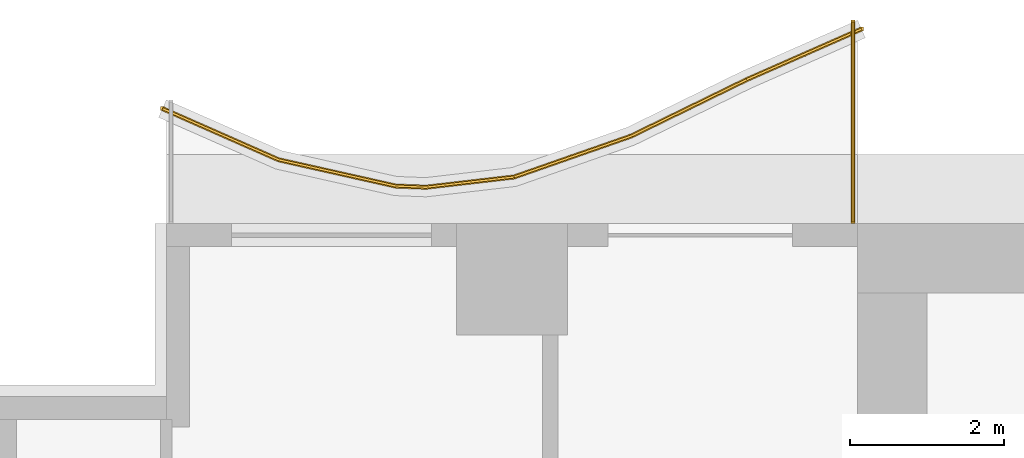
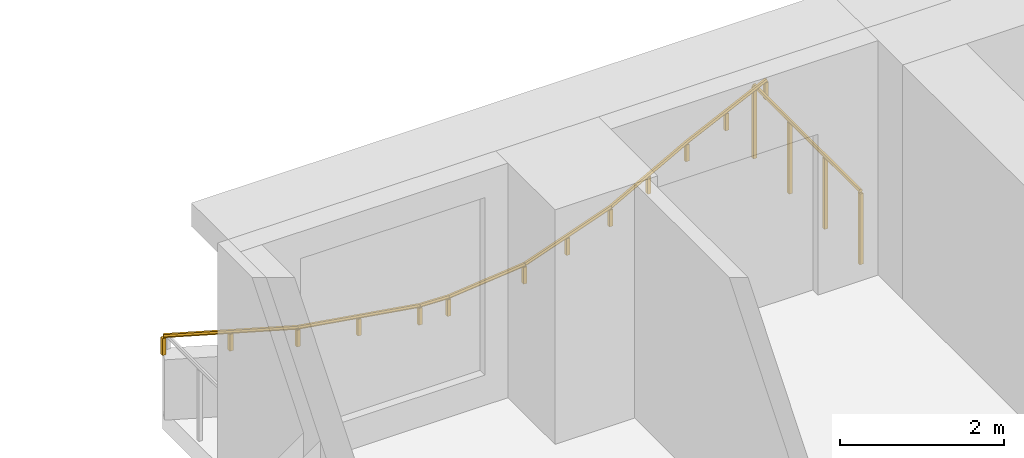
# One storey, part 13 of 14: 2 railings.
"""IFC4 building model written with IfcOpenShell, lengths in metres."""

from ifc_helpers import new_model, si_unit, direction, frame, origin, origin_2d, place, context, subcontext, project, spatial, polyline, rectangle, outline, extrude, material, type_object, element, save


model = new_model("IFC4")

# Units and contexts
model_context = context("Model", 3, precision=1e-05, world=origin(), true_north=direction((0.0, 1.0)))
body_context = subcontext(model_context, "Body", "Model", "MODEL_VIEW")
ifc_project = project(units=[si_unit("LENGTHUNIT", "METRE"), si_unit("AREAUNIT", "SQUARE_METRE"), si_unit("VOLUMEUNIT", "CUBIC_METRE"), si_unit("PLANEANGLEUNIT", "RADIAN"), si_unit("MASSUNIT", "GRAM", prefix="KILO")], contexts=[model_context])

# Site, building, storey
site_placement = place(None, origin())
site = spatial("IfcSite", under=ifc_project, at=site_placement, CompositionType="ELEMENT")
building_placement = place(site_placement, origin())
building = spatial("IfcBuilding", under=site, at=building_placement, Name="Orbiselva Terraces", CompositionType="ELEMENT")
storey_placement = place(building_placement, frame((0.0, 0.0, 26.4)))
storey = spatial("IfcBuildingStorey", under=building, at=storey_placement, Name="L06", CompositionType="ELEMENT", Elevation=26.4)

# Railings
ifc_material_1 = material(Name="Bonded two-ply safety glass balustrade, stainless steel posts", Category="steel")
railing_type_1 = type_object("IfcRailingType", Name="ENV-BALUSTRADE-1200", PredefinedType="BALUSTRADE", material=ifc_material_1)
railing_1_placement = place(storey_placement, frame((-13.449606, 25.034136, 0.9)))
element("IfcRailing", 1, at=railing_1_placement, inside=storey, type_object=railing_type_1, Name="Balcony balustrade L06 NW", PredefinedType="BALUSTRADE", context=body_context, shape_type="SweptSolid", body=[
    extrude(outline(polyline([(0.028868, 0.0), (0.014434, 0.025), (-0.014434, 0.025), (-0.028868, 0.0), (-0.014434, -0.025), (0.014434, -0.025), (0.028868, 0.0)])), frame((0.0, 0.0, 0.275), z_axis=(-0.915133498047, -0.403150940408, 0.0), x_axis=(0.403150940408, -0.915133498047, 0.0)), (0.0, 0.0, 1.0), 1.636648),
    extrude(outline(polyline([(0.028868, 0.0), (0.014434, 0.025), (-0.014434, 0.025), (-0.028868, 0.0), (-0.014434, -0.025), (0.014434, -0.025), (0.028868, 0.0)])), frame((-1.497751, -0.659816, 0.275), z_axis=(-0.898578870221, -0.438812048596, 0.0), x_axis=(0.438812048596, -0.898578870221, 0.0)), (0.0, 0.0, 1.0), 1.674225),
    extrude(outline(polyline([(0.028868, 0.0), (0.014434, 0.025), (-0.014434, 0.025), (-0.028868, 0.0), (-0.014434, -0.025), (0.014434, -0.025), (0.028868, 0.0)])), frame((-3.002174, -1.394486, 0.275), z_axis=(-0.943972332783, -0.330024597479, 0.0), x_axis=(0.330024597479, -0.943972332783, 0.0)), (0.0, 0.0, 1.0), 1.610253),
    extrude(outline(polyline([(0.028868, 0.0), (0.014434, 0.025), (-0.014434, 0.025), (-0.028868, 0.0), (-0.014434, -0.025), (0.014434, -0.025), (0.028868, 0.0)])), frame((-4.522208, -1.925909, 0.275), z_axis=(-0.993309551734, -0.115482182324, 0.0), x_axis=(0.115482182324, -0.993309551734, 0.0)), (0.0, 0.0, 1.0), 1.156135),
    extrude(outline(polyline([(0.028868, 0.0), (0.014434, 0.025), (-0.014434, 0.025), (-0.028868, 0.0), (-0.014434, -0.025), (0.014434, -0.025), (0.028868, 0.0)])), frame((-5.670608, -2.059422, 0.275), z_axis=(-0.999224734286, 0.03936915532, 0.0), x_axis=(-0.03936915532, -0.999224734286, 0.0)), (0.0, 0.0, 1.0), 0.396376),
    extrude(outline(polyline([(0.028868, 0.0), (0.014434, 0.025), (-0.014434, 0.025), (-0.028868, 0.0), (-0.014434, -0.025), (0.014434, -0.025), (0.028868, 0.0)])), frame((-6.066677, -2.043817, 0.275), z_axis=(-0.97572137947, 0.219015500924, 0.0), x_axis=(-0.219015500924, -0.97572137947, 0.0)), (0.0, 0.0, 1.0), 1.560867),
    extrude(outline(polyline([(0.028868, 0.0), (0.014434, 0.025), (-0.014434, 0.025), (-0.028868, 0.0), (-0.014434, -0.025), (0.014434, -0.025), (0.028868, 0.0)])), frame((-7.589648, -1.701963, 0.275), z_axis=(-0.915133578754, 0.403150757208, 0.0), x_axis=(-0.403150757208, -0.915133578754, 0.0)), (0.0, 0.0, 1.0), 1.651278),
    extrude(rectangle(XDim=0.05, YDim=0.05, at=origin_2d()), origin(), (0.0, 0.0, 1.0), 0.25),
    extrude(rectangle(XDim=0.05, YDim=0.05, at=origin_2d()), frame((-0.748876, -0.329908, 0.0)), (0.0, 0.0, 1.0), 0.25),
    extrude(rectangle(XDim=0.05, YDim=0.05, at=origin_2d()), frame((-1.497751, -0.659816, 0.0)), (0.0, 0.0, 1.0), 0.25),
    extrude(rectangle(XDim=0.05, YDim=0.05, at=origin_2d()), frame((-2.249963, -1.027151, 0.0)), (0.0, 0.0, 1.0), 0.25),
    extrude(rectangle(XDim=0.05, YDim=0.05, at=origin_2d()), frame((-3.002174, -1.394486, 0.0)), (0.0, 0.0, 1.0), 0.25),
    extrude(rectangle(XDim=0.05, YDim=0.05, at=origin_2d()), frame((-3.762191, -1.660198, 0.0)), (0.0, 0.0, 1.0), 0.25),
    extrude(rectangle(XDim=0.05, YDim=0.05, at=origin_2d()), frame((-4.522208, -1.925909, 0.0)), (0.0, 0.0, 1.0), 0.25),
    extrude(rectangle(XDim=0.05, YDim=0.05, at=origin_2d()), frame((-5.670608, -2.059422, 0.0)), (0.0, 0.0, 1.0), 0.25),
    extrude(rectangle(XDim=0.05, YDim=0.05, at=origin_2d()), frame((-6.066677, -2.043817, 0.0)), (0.0, 0.0, 1.0), 0.25),
    extrude(rectangle(XDim=0.05, YDim=0.05, at=origin_2d()), frame((-6.828163, -1.87289, 0.0)), (0.0, 0.0, 1.0), 0.25),
    extrude(rectangle(XDim=0.05, YDim=0.05, at=origin_2d()), frame((-7.589648, -1.701963, 0.0)), (0.0, 0.0, 1.0), 0.25),
    extrude(rectangle(XDim=0.05, YDim=0.05, at=origin_2d()), frame((-8.345218, -1.369106, 0.0)), (0.0, 0.0, 1.0), 0.25),
    extrude(rectangle(XDim=0.05, YDim=0.05, at=origin_2d()), frame((-9.100788, -1.036249, 0.0)), (0.0, 0.0, 1.0), 0.25),
])
ifc_material_2 = material(Name="Stainless steel rail and posts", Category="steel")
railing_type_2 = type_object("IfcRailingType", Name="ENV-GUARD-1105", PredefinedType="BALUSTRADE", material=ifc_material_2)
railing_2_placement = place(storey_placement, frame((-13.56, 25.126937, 0.0)))
element("IfcRailing", 2, at=railing_2_placement, inside=storey, type_object=railing_type_2, Name="Balcony end guard L06 NW", PredefinedType="BALUSTRADE", context=body_context, shape_type="SweptSolid", body=[
    extrude(outline(polyline([(0.028868, 0.0), (0.014434, 0.025), (-0.014434, 0.025), (-0.028868, 0.0), (-0.014434, -0.025), (0.014434, -0.025), (0.028868, 0.0)])), frame((0.0, 0.0, 1.08), z_axis=(0.0, -1.0, 0.0), x_axis=(1.0, 0.0, 0.0)), (0.0, 0.0, 1.0), 2.601937),
    extrude(rectangle(XDim=0.05, YDim=0.05, at=origin_2d()), origin(), (0.0, 0.0, 1.0), 1.055),
    extrude(rectangle(XDim=0.05, YDim=0.05, at=origin_2d()), frame((0.0, -0.867312, 0.0)), (0.0, 0.0, 1.0), 1.055),
    extrude(rectangle(XDim=0.05, YDim=0.05, at=origin_2d()), frame((0.0, -1.734625, 0.0)), (0.0, 0.0, 1.0), 1.055),
    extrude(rectangle(XDim=0.05, YDim=0.05, at=origin_2d()), frame((0.0, -2.601937, 0.0)), (0.0, 0.0, 1.0), 1.055),
])

save(model, "model.ifc")
